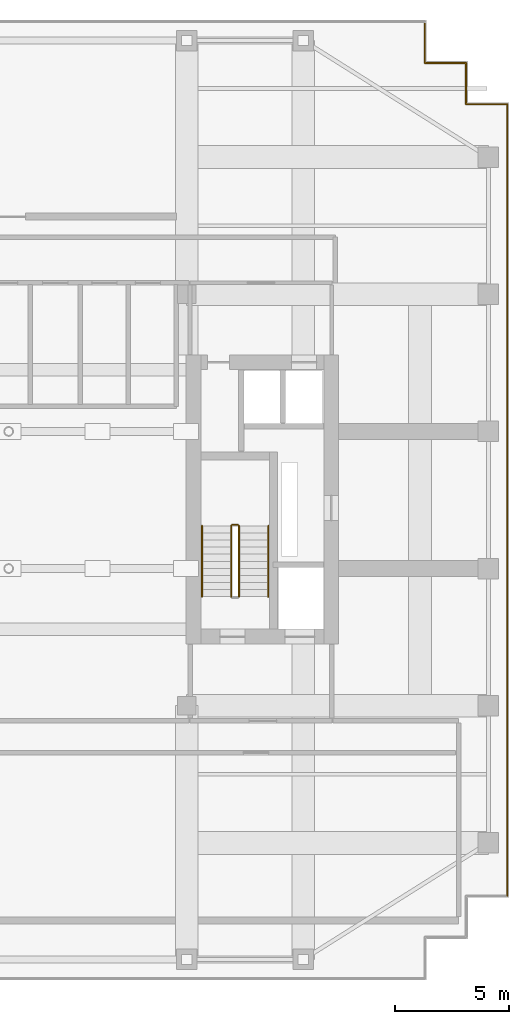
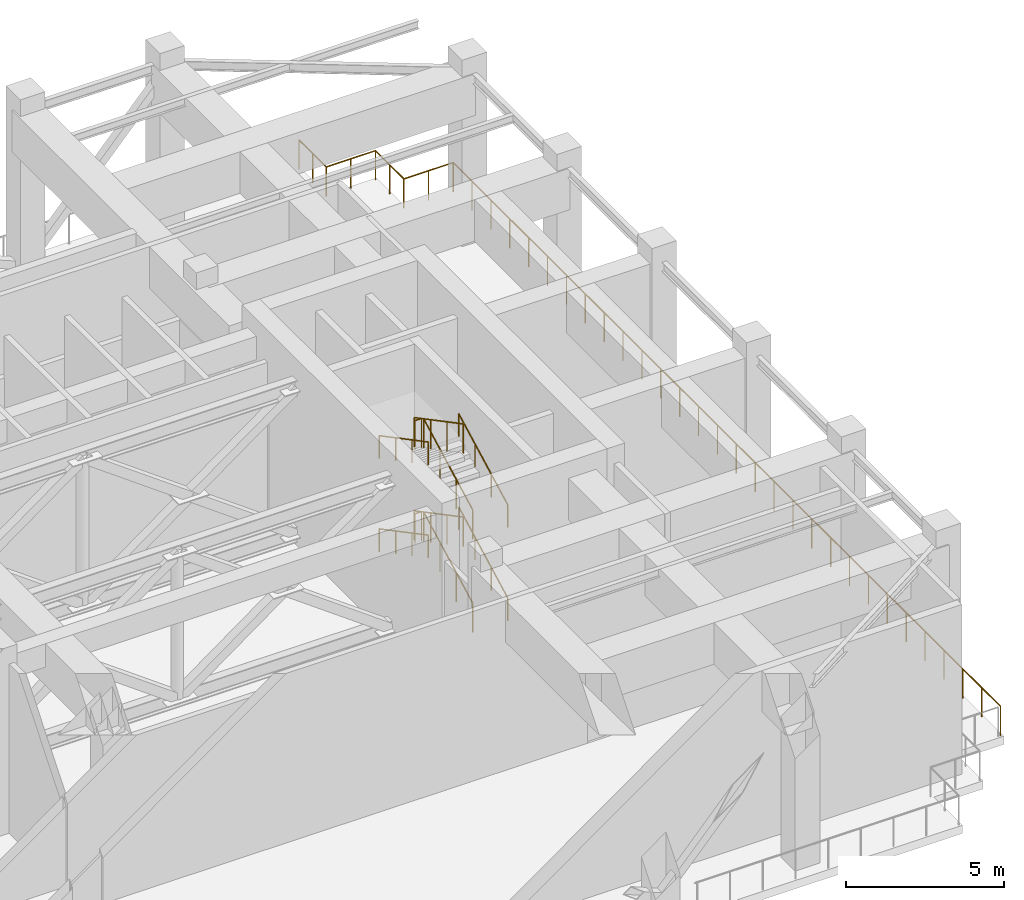
# One storey, part 8 of 9: 11 railings.
"""IFC4 building model written with IfcOpenShell, lengths in metres."""

from ifc_helpers import new_model, si_unit, direction, frame, origin, origin_2d, place, context, subcontext, project, spatial, circle, extrude, material, type_object, element, save


model = new_model("IFC4")

# Units and contexts
model_context = context("Model", 3, precision=1e-05, world=origin(), true_north=direction((0.0, 1.0)))
body_context = subcontext(model_context, "Body", "Model", "MODEL_VIEW")
ifc_project = project(units=[si_unit("LENGTHUNIT", "METRE"), si_unit("AREAUNIT", "SQUARE_METRE"), si_unit("VOLUMEUNIT", "CUBIC_METRE"), si_unit("PLANEANGLEUNIT", "RADIAN"), si_unit("MASSUNIT", "GRAM", prefix="KILO")], contexts=[model_context])

# Site, building, storey
site_placement = place(None, origin())
site = spatial("IfcSite", under=ifc_project, at=site_placement, CompositionType="ELEMENT")
building_placement = place(site_placement, origin())
building = spatial("IfcBuilding", under=site, at=building_placement, Name="Khoralis Quay Care Tower", CompositionType="ELEMENT")
storey_placement = place(building_placement, frame((0.0, 0.0, 220.5)))
storey = spatial("IfcBuildingStorey", under=building, at=storey_placement, Name="L58", CompositionType="ELEMENT", Elevation=220.5)

# Railings
ifc_material_1 = material(Name="Pale anodised aluminium", Category="aluminium")
railing_type_1 = type_object("IfcRailingType", Name="RL-BALUST-1150", PredefinedType="BALUSTRADE", material=ifc_material_1)
railing_1_placement = place(storey_placement, frame((44.919921875, 3.679931640625, 0.0)))
element("IfcRailing", 1, at=railing_1_placement, inside=storey, type_object=railing_type_1, Name="L58 Open Wind-Slot Portal Perimeter Guard 1.2", PredefinedType="BALUSTRADE", context=body_context, shape_type="SweptSolid", body=[
    extrude(circle(Radius=0.02392578125, at=origin_2d()), frame((0.0, 0.0, 1.1259765625), z_axis=(0.0, 1.0, 0.0), x_axis=(-1.0, 0.0, 0.0)), (0.0, 0.0, 1.0), 34.64013671875),
    extrude(circle(Radius=0.02392578125, at=origin_2d()), frame((0.0, 34.64013671875, 1.1259765625), z_axis=(-1.0, 0.0, 0.0), x_axis=(0.0, -1.0, 0.0)), (0.0, 0.0, 1.0), 1.7998046875),
    extrude(circle(Radius=0.02392578125, at=origin_2d()), frame((-1.7998046875, 34.64013671875, 1.1259765625), z_axis=(0.0, 1.0, 0.0), x_axis=(-1.0, 0.0, 0.0)), (0.0, 0.0, 1.0), 1.800048828125),
    extrude(circle(Radius=0.02392578125, at=origin_2d()), frame((-1.7998046875, 36.440185546875, 1.1259765625), z_axis=(-1.0, 0.0, 0.0), x_axis=(0.0, -1.0, 0.0)), (0.0, 0.0, 1.0), 1.800048828125),
    extrude(circle(Radius=0.02392578125, at=origin_2d()), frame((-3.599853515625, 36.440185546875, 1.1259765625), z_axis=(0.0, 1.0, 0.0), x_axis=(-1.0, 0.0, 0.0)), (0.0, 0.0, 1.0), 1.719970703125),
    extrude(circle(Radius=0.02099609375, at=origin_2d()), origin(), (0.0, 0.0, 1.0), 1.101806640625),
    extrude(circle(Radius=0.02099609375, at=origin_2d()), frame((0.0, 1.194580078125, 0.0)), (0.0, 0.0, 1.0), 1.101806640625),
    extrude(circle(Radius=0.02099609375, at=origin_2d()), frame((0.0, 2.388916015625, 0.0)), (0.0, 0.0, 1.0), 1.101806640625),
    extrude(circle(Radius=0.02099609375, at=origin_2d()), frame((0.0, 3.58349609375, 0.0)), (0.0, 0.0, 1.0), 1.101806640625),
    extrude(circle(Radius=0.02099609375, at=origin_2d()), frame((0.0, 4.77783203125, 0.0)), (0.0, 0.0, 1.0), 1.101806640625),
    extrude(circle(Radius=0.02099609375, at=origin_2d()), frame((0.0, 5.972412109375, 0.0)), (0.0, 0.0, 1.0), 1.101806640625),
    extrude(circle(Radius=0.02099609375, at=origin_2d()), frame((0.0, 7.1669921875, 0.0)), (0.0, 0.0, 1.0), 1.101806640625),
    extrude(circle(Radius=0.02099609375, at=origin_2d()), frame((0.0, 8.361328125, 0.0)), (0.0, 0.0, 1.0), 1.101806640625),
    extrude(circle(Radius=0.02099609375, at=origin_2d()), frame((0.0, 9.555908203125, 0.0)), (0.0, 0.0, 1.0), 1.101806640625),
    extrude(circle(Radius=0.02099609375, at=origin_2d()), frame((0.0, 10.75048828125, 0.0)), (0.0, 0.0, 1.0), 1.101806640625),
    extrude(circle(Radius=0.02099609375, at=origin_2d()), frame((0.0, 11.94482421875, 0.0)), (0.0, 0.0, 1.0), 1.101806640625),
    extrude(circle(Radius=0.02099609375, at=origin_2d()), frame((0.0, 13.139404296875, 0.0)), (0.0, 0.0, 1.0), 1.101806640625),
    extrude(circle(Radius=0.02099609375, at=origin_2d()), frame((0.0, 14.333740234375, 0.0)), (0.0, 0.0, 1.0), 1.101806640625),
    extrude(circle(Radius=0.02099609375, at=origin_2d()), frame((0.0, 15.5283203125, 0.0)), (0.0, 0.0, 1.0), 1.101806640625),
    extrude(circle(Radius=0.02099609375, at=origin_2d()), frame((0.0, 16.722900390625, 0.0)), (0.0, 0.0, 1.0), 1.101806640625),
    extrude(circle(Radius=0.02099609375, at=origin_2d()), frame((0.0, 17.917236328125, 0.0)), (0.0, 0.0, 1.0), 1.101806640625),
    extrude(circle(Radius=0.02099609375, at=origin_2d()), frame((0.0, 19.11181640625, 0.0)), (0.0, 0.0, 1.0), 1.101806640625),
    extrude(circle(Radius=0.02099609375, at=origin_2d()), frame((0.0, 20.306396484375, 0.0)), (0.0, 0.0, 1.0), 1.101806640625),
    extrude(circle(Radius=0.02099609375, at=origin_2d()), frame((0.0, 21.500732421875, 0.0)), (0.0, 0.0, 1.0), 1.101806640625),
    extrude(circle(Radius=0.02099609375, at=origin_2d()), frame((0.0, 22.6953125, 0.0)), (0.0, 0.0, 1.0), 1.101806640625),
    extrude(circle(Radius=0.02099609375, at=origin_2d()), frame((0.0, 23.8896484375, 0.0)), (0.0, 0.0, 1.0), 1.101806640625),
    extrude(circle(Radius=0.02099609375, at=origin_2d()), frame((0.0, 25.084228515625, 0.0)), (0.0, 0.0, 1.0), 1.101806640625),
    extrude(circle(Radius=0.02099609375, at=origin_2d()), frame((0.0, 26.27880859375, 0.0)), (0.0, 0.0, 1.0), 1.101806640625),
    extrude(circle(Radius=0.02099609375, at=origin_2d()), frame((0.0, 27.47314453125, 0.0)), (0.0, 0.0, 1.0), 1.101806640625),
    extrude(circle(Radius=0.02099609375, at=origin_2d()), frame((0.0, 28.667724609375, 0.0)), (0.0, 0.0, 1.0), 1.101806640625),
    extrude(circle(Radius=0.02099609375, at=origin_2d()), frame((0.0, 29.8623046875, 0.0)), (0.0, 0.0, 1.0), 1.101806640625),
    extrude(circle(Radius=0.02099609375, at=origin_2d()), frame((0.0, 31.056640625, 0.0)), (0.0, 0.0, 1.0), 1.101806640625),
    extrude(circle(Radius=0.02099609375, at=origin_2d()), frame((0.0, 32.251220703125, 0.0)), (0.0, 0.0, 1.0), 1.101806640625),
    extrude(circle(Radius=0.02099609375, at=origin_2d()), frame((0.0, 33.445556640625, 0.0)), (0.0, 0.0, 1.0), 1.101806640625),
    extrude(circle(Radius=0.02099609375, at=origin_2d()), frame((0.0, 34.64013671875, 0.0)), (0.0, 0.0, 1.0), 1.101806640625),
    extrude(circle(Radius=0.02099609375, at=origin_2d()), frame((-0.89990234375, 34.64013671875, 0.0)), (0.0, 0.0, 1.0), 1.101806640625),
    extrude(circle(Radius=0.02099609375, at=origin_2d()), frame((-1.7998046875, 34.64013671875, 0.0)), (0.0, 0.0, 1.0), 1.101806640625),
    extrude(circle(Radius=0.02099609375, at=origin_2d()), frame((-1.7998046875, 35.5400390625, 0.0)), (0.0, 0.0, 1.0), 1.101806640625),
    extrude(circle(Radius=0.02099609375, at=origin_2d()), frame((-1.7998046875, 36.440185546875, 0.0)), (0.0, 0.0, 1.0), 1.101806640625),
    extrude(circle(Radius=0.02099609375, at=origin_2d()), frame((-2.69970703125, 36.440185546875, 0.0)), (0.0, 0.0, 1.0), 1.101806640625),
    extrude(circle(Radius=0.02099609375, at=origin_2d()), frame((-3.599853515625, 36.440185546875, 0.0)), (0.0, 0.0, 1.0), 1.101806640625),
    extrude(circle(Radius=0.02099609375, at=origin_2d()), frame((-3.599853515625, 37.30029296875, 0.0)), (0.0, 0.0, 1.0), 1.101806640625),
    extrude(circle(Radius=0.02099609375, at=origin_2d()), frame((-3.599853515625, 38.16015625, 0.0)), (0.0, 0.0, 1.0), 1.101806640625),
])
ifc_material_2 = material(Name="Brushed stainless steel", Category="steel")
railing_type_2 = type_object("IfcRailingType", Name="RL-GUARD-1150", PredefinedType="GUARDRAIL", material=ifc_material_2)
railing_2_placement = place(storey_placement, frame((33.18994140625, 16.77001953125, 0.16357421875)))
element("IfcRailing", 2, at=railing_2_placement, inside=storey, type_object=railing_type_2, Name="L58 ST-T2 stair guard 1", PredefinedType="GUARDRAIL", context=body_context, shape_type="SweptSolid", body=[
    extrude(circle(Radius=0.02392578125, at=origin_2d()), frame((0.0, 0.0, 1.1259765625), z_axis=(0.0, 0.884348015382, 0.466828220752), x_axis=(-1.0, 0.0, 0.0)), (0.0, 0.0, 1.0), 3.505615234375),
    extrude(circle(Radius=0.02099609375, at=origin_2d()), origin(), (0.0, 0.0, 1.0), 1.101806640625),
    extrude(circle(Radius=0.02099609375, at=origin_2d()), frame((0.0, 1.033447265625, 0.54541015625)), (0.0, 0.0, 1.0), 1.101806640625),
    extrude(circle(Radius=0.02099609375, at=origin_2d()), frame((0.0, 2.066650390625, 1.091064453125)), (0.0, 0.0, 1.0), 1.101806640625),
    extrude(circle(Radius=0.02099609375, at=origin_2d()), frame((0.0, 3.10009765625, 1.636474609375)), (0.0, 0.0, 1.0), 1.101806640625),
])
railing_3_placement = place(storey_placement, frame((33.139892578125, 19.919921875, 1.800048828125)))
element("IfcRailing", 3, at=railing_3_placement, inside=storey, type_object=railing_type_2, Name="L58 ST-T2 stair guard 2", PredefinedType="GUARDRAIL", context=body_context, shape_type="SweptSolid", body=[
    extrude(circle(Radius=0.02392578125, at=origin_2d()), frame((0.0, 0.0, 1.1259765625), z_axis=(-1.0, 0.0, 0.0), x_axis=(0.0, -1.0, 0.0)), (0.0, 0.0, 1.0), 0.239990234375),
    extrude(circle(Radius=0.02099609375, at=origin_2d()), origin(), (0.0, 0.0, 1.0), 1.101806640625),
    extrude(circle(Radius=0.02099609375, at=origin_2d()), frame((-0.239990234375, 0.0, 0.0)), (0.0, 0.0, 1.0), 1.101806640625),
])
railing_4_placement = place(storey_placement, frame((32.85009765625, 19.8701171875, 1.963623046875)))
element("IfcRailing", 4, at=railing_4_placement, inside=storey, type_object=railing_type_2, Name="L58 ST-T2 stair guard 3", PredefinedType="GUARDRAIL", context=body_context, shape_type="SweptSolid", body=[
    extrude(circle(Radius=0.02392578125, at=origin_2d()), frame((0.0, 0.0, 1.1259765625), z_axis=(0.0, -0.884348015382, 0.466828220752), x_axis=(1.0, 0.0, 0.0)), (0.0, 0.0, 1.0), 3.505615234375),
    extrude(circle(Radius=0.02099609375, at=origin_2d()), origin(), (0.0, 0.0, 1.0), 1.101806640625),
    extrude(circle(Radius=0.02099609375, at=origin_2d()), frame((0.0, -1.033447265625, 0.54541015625)), (0.0, 0.0, 1.0), 1.101806640625),
    extrude(circle(Radius=0.02099609375, at=origin_2d()), frame((0.0, -2.066650390625, 1.091064453125)), (0.0, 0.0, 1.0), 1.101806640625),
    extrude(circle(Radius=0.02099609375, at=origin_2d()), frame((0.0, -3.10009765625, 1.636474609375)), (0.0, 0.0, 1.0), 1.101806640625),
])
railing_5_placement = place(storey_placement, frame((33.18994140625, 16.77001953125, 3.763671875)))
element("IfcRailing", 5, at=railing_5_placement, inside=storey, type_object=railing_type_2, Name="L58 ST-T2 stair guard 5", PredefinedType="GUARDRAIL", context=body_context, shape_type="SweptSolid", body=[
    extrude(circle(Radius=0.02392578125, at=origin_2d()), frame((0.0, 0.0, 1.1259765625), z_axis=(0.0, 0.884376766648, 0.46677375099), x_axis=(-1.0, 0.0, 0.0)), (0.0, 0.0, 1.0), 3.50537109375),
    extrude(circle(Radius=0.02099609375, at=origin_2d()), origin(), (0.0, 0.0, 1.0), 1.101806640625),
    extrude(circle(Radius=0.02099609375, at=origin_2d()), frame((0.0, 1.033447265625, 0.54541015625)), (0.0, 0.0, 1.0), 1.101806640625),
    extrude(circle(Radius=0.02099609375, at=origin_2d()), frame((0.0, 2.066650390625, 1.0908203125)), (0.0, 0.0, 1.0), 1.101806640625),
    extrude(circle(Radius=0.02099609375, at=origin_2d()), frame((0.0, 3.10009765625, 1.63623046875)), (0.0, 0.0, 1.0), 1.101806640625),
])
railing_6_placement = place(storey_placement, frame((33.139892578125, 19.919921875, 5.39990234375)))
element("IfcRailing", 6, at=railing_6_placement, inside=storey, type_object=railing_type_2, Name="L58 ST-T2 stair guard 6", PredefinedType="GUARDRAIL", context=body_context, shape_type="SweptSolid", body=[
    extrude(circle(Radius=0.02392578125, at=origin_2d()), frame((0.0, 0.0, 1.1259765625), z_axis=(-1.0, 0.0, 0.0), x_axis=(0.0, -1.0, 0.0)), (0.0, 0.0, 1.0), 0.239990234375),
    extrude(circle(Radius=0.02099609375, at=origin_2d()), origin(), (0.0, 0.0, 1.0), 1.101806640625),
    extrude(circle(Radius=0.02099609375, at=origin_2d()), frame((-0.239990234375, 0.0, 0.0)), (0.0, 0.0, 1.0), 1.101806640625),
])
railing_7_placement = place(storey_placement, frame((32.85009765625, 19.8701171875, 5.563720703125)))
element("IfcRailing", 7, at=railing_7_placement, inside=storey, type_object=railing_type_2, Name="L58 ST-T2 stair guard 7", PredefinedType="GUARDRAIL", context=body_context, shape_type="SweptSolid", body=[
    extrude(circle(Radius=0.02392578125, at=origin_2d()), frame((0.0, 0.0, 1.1259765625), z_axis=(0.0, -0.884376766648, 0.46677375099), x_axis=(1.0, 0.0, 0.0)), (0.0, 0.0, 1.0), 3.50537109375),
    extrude(circle(Radius=0.02099609375, at=origin_2d()), origin(), (0.0, 0.0, 1.0), 1.101806640625),
    extrude(circle(Radius=0.02099609375, at=origin_2d()), frame((0.0, -1.033447265625, 0.54541015625)), (0.0, 0.0, 1.0), 1.101806640625),
    extrude(circle(Radius=0.02099609375, at=origin_2d()), frame((0.0, -2.066650390625, 1.0908203125)), (0.0, 0.0, 1.0), 1.101806640625),
    extrude(circle(Radius=0.02099609375, at=origin_2d()), frame((0.0, -3.10009765625, 1.63623046875)), (0.0, 0.0, 1.0), 1.101806640625),
])
railing_type_3 = type_object("IfcRailingType", Name="RL-HAND-900", PredefinedType="HANDRAIL", material=ifc_material_2)
railing_8_placement = place(storey_placement, frame((34.469970703125, 16.77001953125, 0.16357421875)))
element("IfcRailing", 8, at=railing_8_placement, inside=storey, type_object=railing_type_3, Name="L58 ST-T2 stair handrail 1", PredefinedType="HANDRAIL", context=body_context, shape_type="SweptSolid", body=[
    extrude(circle(Radius=0.02392578125, at=origin_2d()), frame((0.0, 0.0, 0.8759765625), z_axis=(0.0, 0.884348015382, 0.466828220752), x_axis=(-1.0, 0.0, 0.0)), (0.0, 0.0, 1.0), 3.505615234375),
    extrude(circle(Radius=0.02099609375, at=origin_2d()), origin(), (0.0, 0.0, 1.0), 0.851806640625),
    extrude(circle(Radius=0.02099609375, at=origin_2d()), frame((0.0, 1.033447265625, 0.54541015625)), (0.0, 0.0, 1.0), 0.851806640625),
    extrude(circle(Radius=0.02099609375, at=origin_2d()), frame((0.0, 2.066650390625, 1.091064453125)), (0.0, 0.0, 1.0), 0.851806640625),
    extrude(circle(Radius=0.02099609375, at=origin_2d()), frame((0.0, 3.10009765625, 1.636474609375)), (0.0, 0.0, 1.0), 0.851806640625),
])
railing_9_placement = place(storey_placement, frame((31.570068359375, 19.8701171875, 1.963623046875)))
element("IfcRailing", 9, at=railing_9_placement, inside=storey, type_object=railing_type_3, Name="L58 ST-T2 stair handrail 2", PredefinedType="HANDRAIL", context=body_context, shape_type="SweptSolid", body=[
    extrude(circle(Radius=0.02392578125, at=origin_2d()), frame((0.0, 0.0, 0.8759765625), z_axis=(0.0, -0.884348015382, 0.466828220752), x_axis=(1.0, 0.0, 0.0)), (0.0, 0.0, 1.0), 3.505615234375),
    extrude(circle(Radius=0.02099609375, at=origin_2d()), origin(), (0.0, 0.0, 1.0), 0.851806640625),
    extrude(circle(Radius=0.02099609375, at=origin_2d()), frame((0.0, -1.033447265625, 0.54541015625)), (0.0, 0.0, 1.0), 0.851806640625),
    extrude(circle(Radius=0.02099609375, at=origin_2d()), frame((0.0, -2.066650390625, 1.091064453125)), (0.0, 0.0, 1.0), 0.851806640625),
    extrude(circle(Radius=0.02099609375, at=origin_2d()), frame((0.0, -3.10009765625, 1.636474609375)), (0.0, 0.0, 1.0), 0.851806640625),
])
railing_10_placement = place(storey_placement, frame((34.469970703125, 16.77001953125, 3.763671875)))
element("IfcRailing", 10, at=railing_10_placement, inside=storey, type_object=railing_type_3, Name="L58 ST-T2 stair handrail 3", PredefinedType="HANDRAIL", context=body_context, shape_type="SweptSolid", body=[
    extrude(circle(Radius=0.02392578125, at=origin_2d()), frame((0.0, 0.0, 0.8759765625), z_axis=(0.0, 0.884376766648, 0.46677375099), x_axis=(-1.0, 0.0, 0.0)), (0.0, 0.0, 1.0), 3.50537109375),
    extrude(circle(Radius=0.02099609375, at=origin_2d()), origin(), (0.0, 0.0, 1.0), 0.851806640625),
    extrude(circle(Radius=0.02099609375, at=origin_2d()), frame((0.0, 1.033447265625, 0.54541015625)), (0.0, 0.0, 1.0), 0.851806640625),
    extrude(circle(Radius=0.02099609375, at=origin_2d()), frame((0.0, 2.066650390625, 1.0908203125)), (0.0, 0.0, 1.0), 0.851806640625),
    extrude(circle(Radius=0.02099609375, at=origin_2d()), frame((0.0, 3.10009765625, 1.63623046875)), (0.0, 0.0, 1.0), 0.851806640625),
])
railing_11_placement = place(storey_placement, frame((31.570068359375, 19.8701171875, 5.563720703125)))
element("IfcRailing", 11, at=railing_11_placement, inside=storey, type_object=railing_type_3, Name="L58 ST-T2 stair handrail 4", PredefinedType="HANDRAIL", context=body_context, shape_type="SweptSolid", body=[
    extrude(circle(Radius=0.02392578125, at=origin_2d()), frame((0.0, 0.0, 0.8759765625), z_axis=(0.0, -0.884376766648, 0.46677375099), x_axis=(1.0, 0.0, 0.0)), (0.0, 0.0, 1.0), 3.50537109375),
    extrude(circle(Radius=0.02099609375, at=origin_2d()), origin(), (0.0, 0.0, 1.0), 0.851806640625),
    extrude(circle(Radius=0.02099609375, at=origin_2d()), frame((0.0, -1.033447265625, 0.54541015625)), (0.0, 0.0, 1.0), 0.851806640625),
    extrude(circle(Radius=0.02099609375, at=origin_2d()), frame((0.0, -2.066650390625, 1.0908203125)), (0.0, 0.0, 1.0), 0.851806640625),
    extrude(circle(Radius=0.02099609375, at=origin_2d()), frame((0.0, -3.10009765625, 1.63623046875)), (0.0, 0.0, 1.0), 0.851806640625),
])

save(model, "model.ifc")
